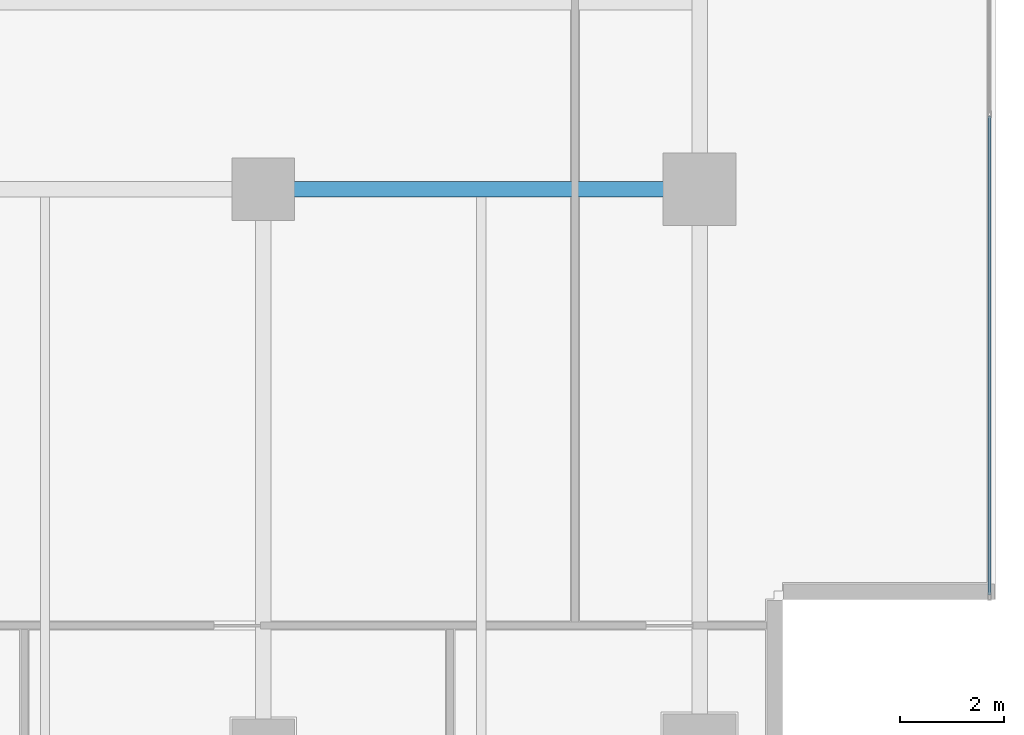
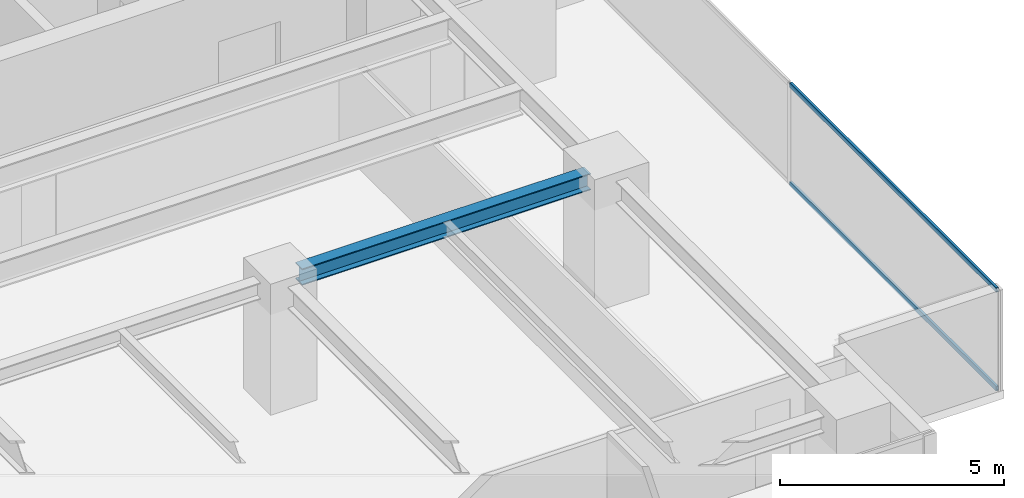
# One storey, part 12 of 25: 2 members, 1 beam, 1 element without a shape of its own.
"""IFC4 building model written with IfcOpenShell, lengths in metres."""

from ifc_helpers import new_model, si_unit, direction, frame, origin, origin_2d, place, context, subcontext, project, spatial, hollow_rectangle, i_section, extrude, source, transform, mapped, material, layer, layer_set, material_profile, profile_set, type_object, element, aggregate, save


model = new_model("IFC4")

# Units and contexts
model_context = context("Model", 3, precision=1e-05, world=origin(), true_north=direction((0.0, 1.0)))
body_context = subcontext(model_context, "Body", "Model", "MODEL_VIEW")
ifc_project = project(units=[si_unit("LENGTHUNIT", "METRE"), si_unit("AREAUNIT", "SQUARE_METRE"), si_unit("VOLUMEUNIT", "CUBIC_METRE"), si_unit("PLANEANGLEUNIT", "RADIAN"), si_unit("MASSUNIT", "GRAM", prefix="KILO")], contexts=[model_context])

# Site, building, storey
site_placement = place(None, origin())
site = spatial("IfcSite", under=ifc_project, at=site_placement, CompositionType="ELEMENT")
building_placement = place(site_placement, origin())
building = spatial("IfcBuilding", under=site, at=building_placement, Name="Sumidabori Civic Tower", CompositionType="ELEMENT")
storey_placement = place(building_placement, frame((0.0, 0.0, 232.39990234375)))
storey = spatial("IfcBuildingStorey", under=building, at=storey_placement, Name="L60", CompositionType="ELEMENT", Elevation=232.39990234375)

# Beam
ifc_material_1 = material(Name="Steel SN490", Category="steel")
ifc_material_profile_1 = material_profile(ifc_material_1, i_section(OverallWidth=0.300048828125, OverallDepth=0.449951171875, WebThickness=0.013916015625, FlangeThickness=0.02587890625, at=origin_2d()), Name="HE 450 B")
ifc_profile_set_1 = profile_set([ifc_material_profile_1], Name="Steel SN490")
beam_type = type_object("IfcBeamType", Name="BM-GIRD-450", PredefinedType="BEAM", material=ifc_profile_set_1)
shared_shape_1 = source(origin(), body_context, "Body", "SweptSolid", [
    extrude(i_section(OverallWidth=0.300048828125, OverallDepth=0.449951171875, WebThickness=0.013916015625, FlangeThickness=0.02587890625, at=origin_2d()), origin(), (0.0, 0.0, 1.0), 7.440185546875),
])
beam_placement = place(storey_placement, frame((8.8798828125, 0.0, 3.14501953125), z_axis=(1.0, 0.0, 0.0), x_axis=(0.0, 1.0, 0.0)))
element("IfcBeam", 1, at=beam_placement, inside=storey, type_object=beam_type, Name="Primary Girder L60 GX-08", PredefinedType="BEAM", context=body_context, shape_type="MappedRepresentation", body=[
    mapped(shared_shape_1, transform((0.0, 0.0, 0.0), x_axis=(1.0, 0.0, 0.0), y_axis=(0.0, 1.0, 0.0), z_axis=(0.0, 0.0, 1.0), scale=1.0)),
])

# Curtain wall, members
ifc_material_2 = material(Name="Anodised Bronze Aluminium AW-6063-T6", Category="aluminium")
ifc_layer = layer(ifc_material_2, 0.179931640625, Name="Anodised Bronze Aluminium AW-6063-T6")
ifc_layer_set = layer_set([ifc_layer], Name="Anodised Bronze Aluminium AW-6063-T6")
curtain_wall_type = type_object("IfcCurtainWallType", Name="CW-SYS-5", PredefinedType="NOTDEFINED", material=ifc_layer_set)
curtain_wall_placement = place(storey_placement, origin())
curtain_wall = element("IfcCurtainWall", 2, at=curtain_wall_placement, inside=storey, type_object=curtain_wall_type, Name="Curtain Wall CW:L60:R04", PredefinedType="NOTDEFINED")
ifc_material_profile_2 = material_profile(ifc_material_2, hollow_rectangle(XDim=0.06005859375, YDim=0.1298828125, WallThickness=0.0048828125, at=origin_2d()), Name="ALU TRANSOM 130x60")
ifc_profile_set_2 = profile_set([ifc_material_profile_2], Name="Anodised Bronze Aluminium AW-6063-T6")
member_type = type_object("IfcMemberType", Name="CW-TRN-130", PredefinedType="USERDEFINED", material=ifc_profile_set_2)
shared_shape_2 = source(origin(), body_context, "Body", "SweptSolid", [
    extrude(hollow_rectangle(XDim=0.06005859375, YDim=0.1298828125, WallThickness=0.0048828125, at=origin_2d()), origin(), (0.0, 0.0, 1.0), 9.223388671875),
])
member_1_placement = place(storey_placement, frame((22.3798828125, -7.81005859375, 0.030029296875), z_axis=(0.0, 1.0, 0.0), x_axis=(-1.0, 0.0, 0.0)))
member_1 = element("IfcMember", 3, at=member_1_placement, type_object=member_type, Name="CW-5 transom 1.1", ObjectType="TRANSOM", PredefinedType="USERDEFINED", context=body_context, shape_type="MappedRepresentation", body=[
    mapped(shared_shape_2, transform((0.0, 0.0, 0.0), x_axis=(1.0, 0.0, 0.0), y_axis=(0.0, 1.0, 0.0), z_axis=(0.0, 0.0, 1.0), scale=1.0)),
])
member_2_placement = place(storey_placement, frame((22.3798828125, -7.81005859375, 2.72021484375), z_axis=(0.0, 1.0, 0.0), x_axis=(-1.0, 0.0, 0.0)))
member_2 = element("IfcMember", 4, at=member_2_placement, type_object=member_type, Name="CW-5 transom 1.2", ObjectType="TRANSOM", PredefinedType="USERDEFINED", context=body_context, shape_type="MappedRepresentation", body=[
    mapped(shared_shape_2, transform((0.0, 0.0, 0.0), x_axis=(1.0, 0.0, 0.0), y_axis=(0.0, 1.0, 0.0), z_axis=(0.0, 0.0, 1.0), scale=1.0)),
])
aggregate(curtain_wall, [member_1, member_2])

save(model, "model.ifc")
